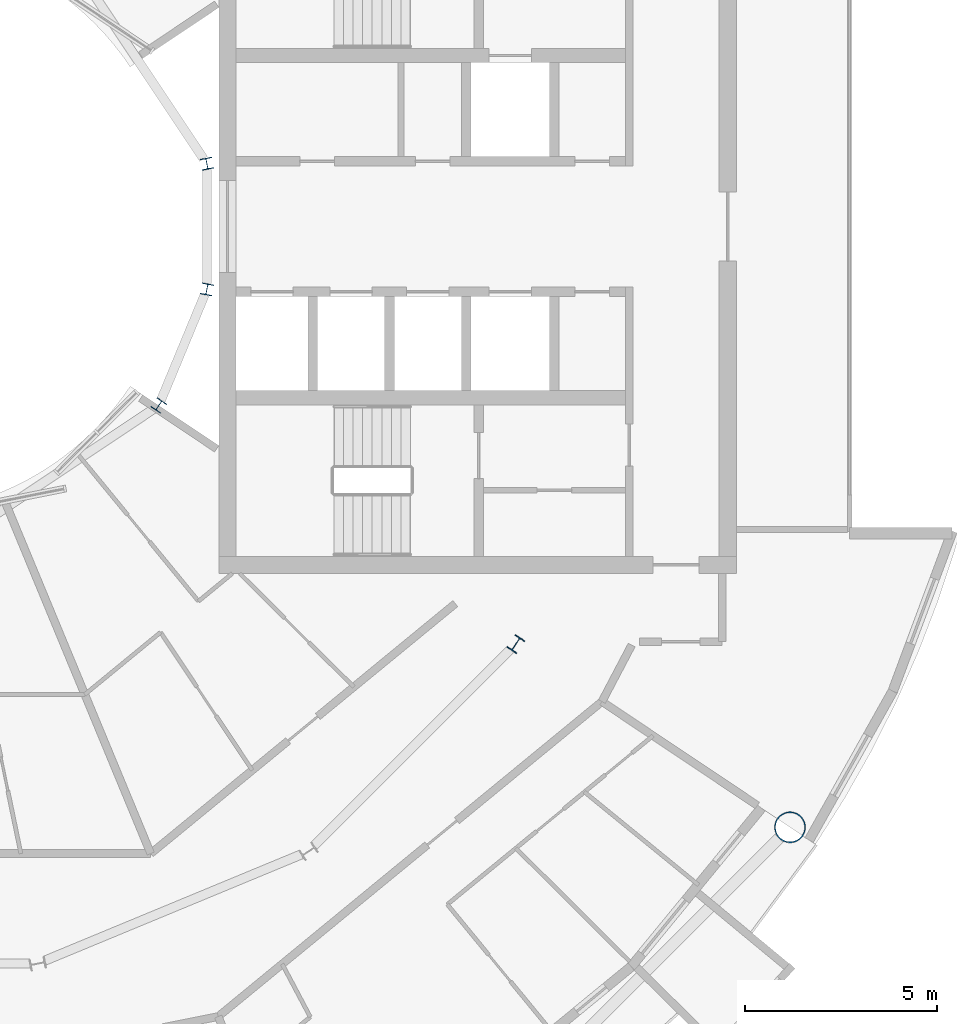
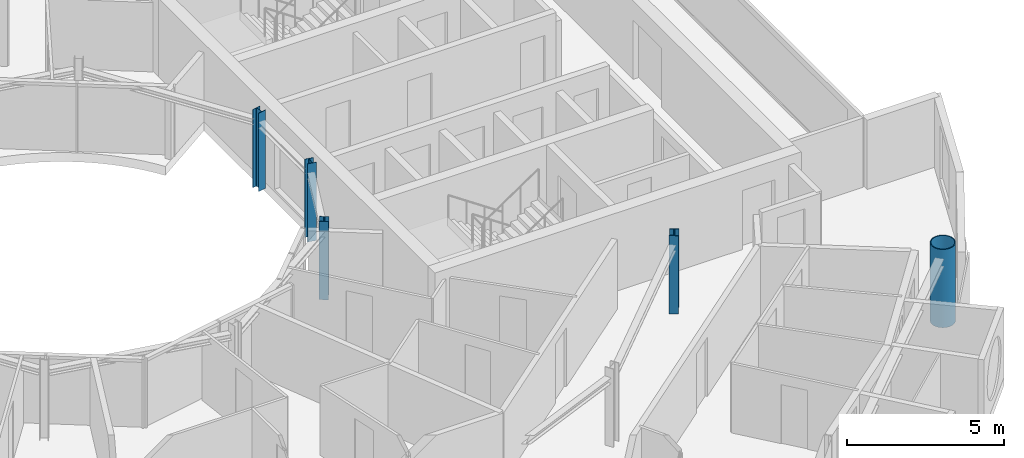
# One storey, part 3 of 27: 5 columns.
"""IFC4 building model written with IfcOpenShell, lengths in metres."""

from ifc_helpers import new_model, si_unit, direction, frame, origin, origin_2d, place, context, subcontext, project, spatial, hollow_circle, i_section, extrude, material, material_profile, profile_set, type_object, element, save


model = new_model("IFC4")

# Units and contexts
model_context = context("Model", 3, precision=1e-05, world=origin(), true_north=direction((0.0, 1.0)))
body_context = subcontext(model_context, "Body", "Model", "MODEL_VIEW")
ifc_project = project(units=[si_unit("LENGTHUNIT", "METRE"), si_unit("AREAUNIT", "SQUARE_METRE"), si_unit("VOLUMEUNIT", "CUBIC_METRE"), si_unit("PLANEANGLEUNIT", "RADIAN"), si_unit("MASSUNIT", "GRAM", prefix="KILO")], contexts=[model_context])

# Site, building, storey
site_placement = place(None, origin())
site = spatial("IfcSite", under=ifc_project, at=site_placement, CompositionType="ELEMENT")
building_placement = place(site_placement, origin())
building = spatial("IfcBuilding", under=site, at=building_placement, Name="Maasbend Ring Residences", CompositionType="ELEMENT")
storey_placement = place(building_placement, frame((0.0, 0.0, 199.35009765625)))
storey = spatial("IfcBuildingStorey", under=building, at=storey_placement, Name="L57", CompositionType="ELEMENT", Elevation=199.35009765625)

# Columns
ifc_material_1 = material(Name="Composite concrete-filled steel tube S460NH / C80/95", Category="concrete")
ifc_material_profile_1 = material_profile(ifc_material_1, hollow_circle(Radius=0.406494140625, WallThickness=0.030029296875, at=origin_2d()), Name="Composite tube column CHS 813x30")
ifc_profile_set_1 = profile_set([ifc_material_profile_1], Name="Composite concrete-filled steel tube S460NH / C80/95")
column_type_1 = type_object("IfcColumnType", Name="Composite tube column CHS 813x30", PredefinedType="COLUMN", material=ifc_profile_set_1)
column_1_placement = place(storey_placement, frame((23.447509765625, -15.6669921875, 0.0), z_axis=(0.0, 0.0, 1.0), x_axis=(1.0, 0.0, 0.0)))
element("IfcColumn", 1, at=column_1_placement, inside=storey, type_object=column_type_1, Name="Outer column R15", PredefinedType="COLUMN", context=body_context, shape_type="SweptSolid", body=[
    extrude(hollow_circle(Radius=0.406494140625, WallThickness=0.030029296875, at=origin_2d()), origin(), (0.0, 0.0, 1.0), 3.0498046875),
])
ifc_material_2 = material(Name="Steel S355J2", Category="steel")
ifc_material_profile_2 = material_profile(ifc_material_2, i_section(OverallWidth=0.300048828125, OverallDepth=0.2900390625, WebThickness=0.008544921875, FlangeThickness=0.013916015625, FilletRadius=0.027099609375, at=origin_2d()), Name="HEA 300")
ifc_profile_set_2 = profile_set([ifc_material_profile_2], Name="Steel S355J2")
column_type_2 = type_object("IfcColumnType", Name="Steel column HEA 300", PredefinedType="COLUMN", material=ifc_profile_set_2)
for number, where, z_axis, x_axis, name in (
    (2, (8.238525390625, 1.638916015625, 0.0), (0.0, 0.0, 1.0), (0.980785280403, 0.195090322016, 0.0), "Well ring column R1"),
    (3, (6.984375, -4.666748046875, 0.0), (0.0, 0.0, 1.0), (0.831469612303, -0.55557023302, 0.0), "Well ring column R15"),
    (4, (8.238525390625, -1.638916015625, 0.0), (0.0, 0.0, 1.0), (0.980785280403, -0.195090322016, 0.0), "Well ring column R16"),
):
    element("IfcColumn", number, at=place(storey_placement, frame(where, z_axis=z_axis, x_axis=x_axis)), inside=storey, type_object=column_type_2, Name=name, PredefinedType="COLUMN", context=body_context, shape_type="SweptSolid", body=[
        extrude(i_section(OverallWidth=0.300048828125, OverallDepth=0.2900390625, WebThickness=0.008544921875, FlangeThickness=0.013916015625, FilletRadius=0.027099609375, at=origin_2d()), origin(), (0.0, 0.0, 1.0), 3.0498046875),
    ])
ifc_material_3 = material(Name="Steel S355J2", Category="steel")
ifc_material_profile_3 = material_profile(ifc_material_3, i_section(OverallWidth=0.300048828125, OverallDepth=0.39990234375, WebThickness=0.013427734375, FlangeThickness=0.02392578125, FilletRadius=0.027099609375, at=origin_2d()), Name="HEB 400")
ifc_profile_set_3 = profile_set([ifc_material_profile_3], Name="Steel S355J2")
column_type_3 = type_object("IfcColumnType", Name="Steel column HEB 400", PredefinedType="COLUMN", material=ifc_profile_set_3)
column_2_placement = place(storey_placement, frame((16.296875, -10.88916015625, 0.0), z_axis=(0.0, 0.0, 1.0), x_axis=(0.831469612303, -0.55557023302, 0.0)))
element("IfcColumn", 5, at=column_2_placement, inside=storey, type_object=column_type_3, Name="Corridor ring column R15", PredefinedType="COLUMN", context=body_context, shape_type="SweptSolid", body=[
    extrude(i_section(OverallWidth=0.300048828125, OverallDepth=0.39990234375, WebThickness=0.013427734375, FlangeThickness=0.02392578125, FilletRadius=0.027099609375, at=origin_2d()), origin(), (0.0, 0.0, 1.0), 3.0498046875),
])

save(model, "model.ifc")
